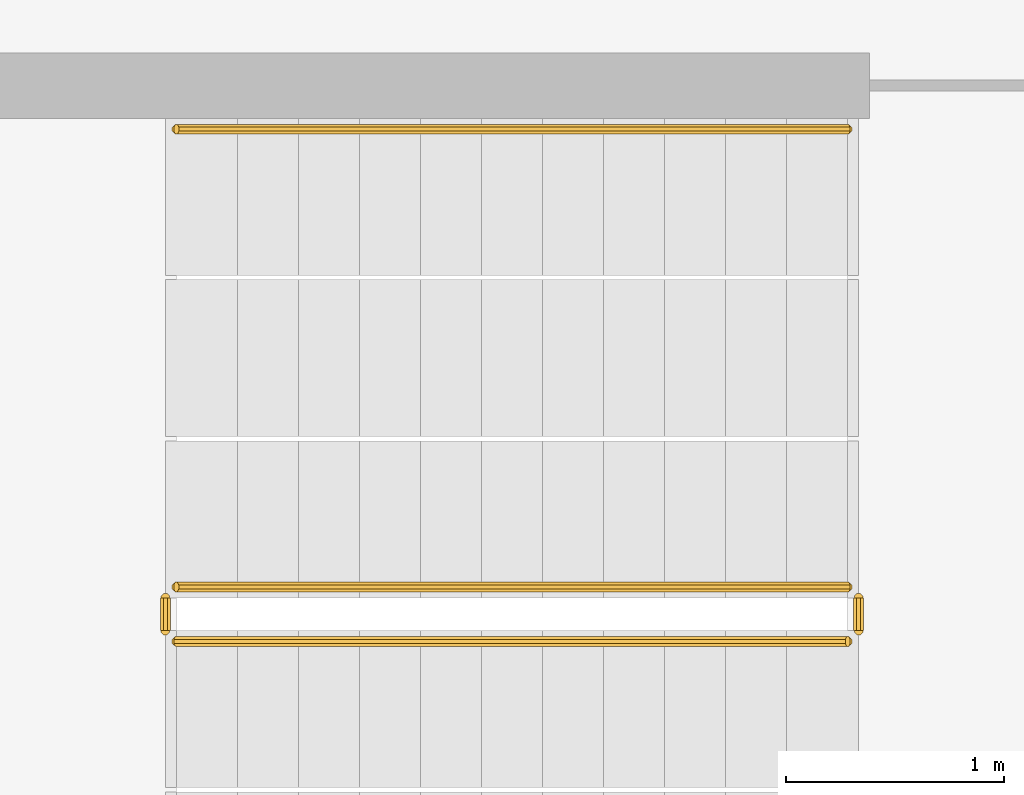
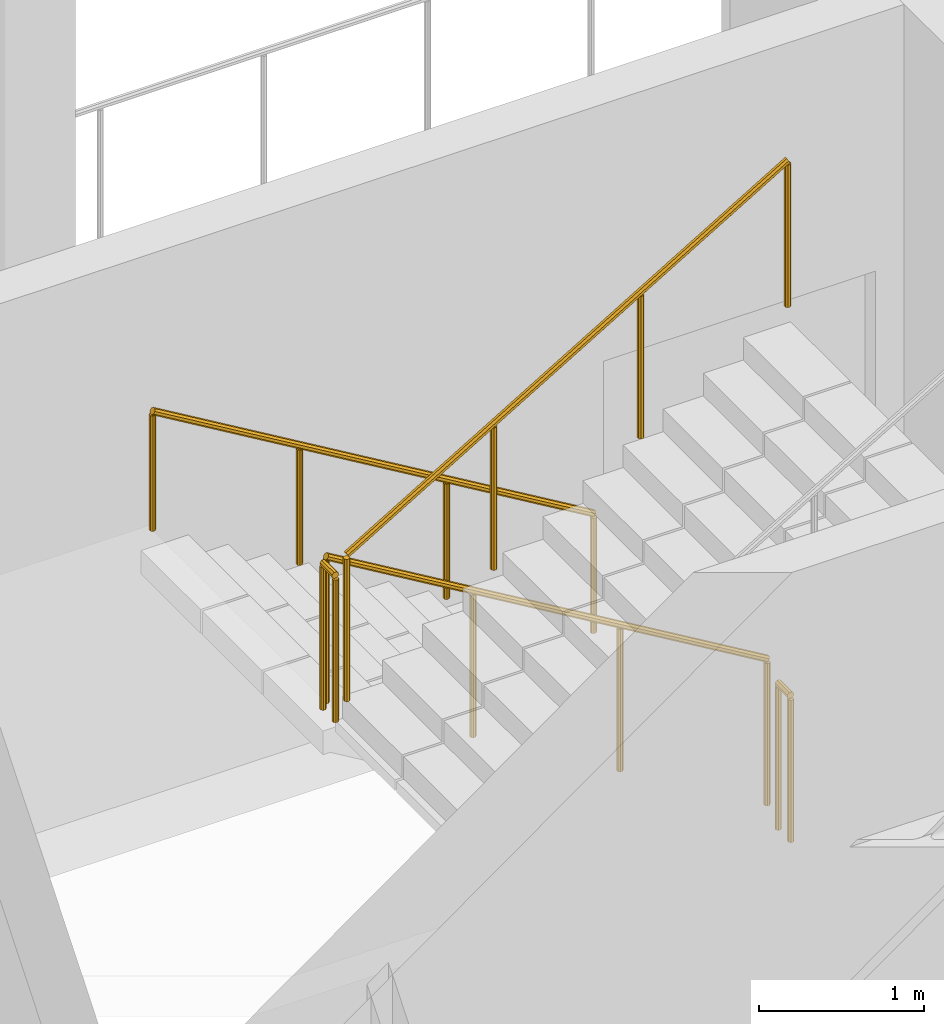
# One storey, part 20 of 28: 5 railings.
"""IFC4 building model written with IfcOpenShell, lengths in metres."""

from ifc_helpers import new_model, si_unit, direction, frame, origin, place, context, subcontext, project, spatial, polyline, outline, extrude, material, type_object, element, save


model = new_model("IFC4")

# Units and contexts
model_context = context("Model", 3, precision=1e-05, world=origin(), true_north=direction((0.0, 1.0)))
body_context = subcontext(model_context, "Body", "Model", "MODEL_VIEW")
ifc_project = project(units=[si_unit("LENGTHUNIT", "METRE"), si_unit("AREAUNIT", "SQUARE_METRE"), si_unit("VOLUMEUNIT", "CUBIC_METRE"), si_unit("PLANEANGLEUNIT", "RADIAN"), si_unit("MASSUNIT", "GRAM", prefix="KILO")], contexts=[model_context])

# Site, building, storey
site_placement = place(None, origin())
site = spatial("IfcSite", under=ifc_project, at=site_placement, CompositionType="ELEMENT")
building_placement = place(site_placement, origin())
building = spatial("IfcBuilding", under=site, at=building_placement, Name="Cormorant Relay Tower", CompositionType="ELEMENT")
storey_placement = place(building_placement, frame((0.0, 0.0, 146.199951171875)))
storey = spatial("IfcBuildingStorey", under=building, at=storey_placement, Name="L30", CompositionType="ELEMENT", Elevation=146.199951171875)

# Railings
ifc_material_1 = material(Name="Steel ASTM A572 Grade 50 (Fy 345 MPa)", Category="steel")
railing_type_1 = type_object("IfcRailingType", Name="Stair guard 1100", PredefinedType="GUARDRAIL", material=ifc_material_1)
railing_1_placement = place(storey_placement, frame((1.60009765625, -18.27490234375, 0.166748046875)))
element("IfcRailing", 1, at=railing_1_placement, inside=storey, type_object=railing_type_1, Name="L30 RK1 stair guard 1", PredefinedType="GUARDRAIL", context=body_context, shape_type="SweptSolid", body=[
    extrude(outline(polyline([(0.022216796875, 0.00927734375), (0.00927734375, 0.022216796875), (-0.00927734375, 0.022216796875), (-0.022216796875, 0.00927734375), (-0.022216796875, -0.00927734375), (-0.00927734375, -0.022216796875), (0.00927734375, -0.022216796875), (0.022216796875, -0.00927734375), (0.022216796875, 0.00927734375)])), frame((0.0, 0.0, 1.076171875), z_axis=(-0.859308565015, 0.0, 0.511457515432), x_axis=(0.0, -1.0, 0.0)), (0.0, 0.0, 1.0), 3.58447265625),
    extrude(outline(polyline([(0.019287109375, 0.008056640625), (0.008056640625, 0.019287109375), (-0.008056640625, 0.019287109375), (-0.019287109375, 0.008056640625), (-0.019287109375, -0.008056640625), (-0.008056640625, -0.019287109375), (0.008056640625, -0.019287109375), (0.019287109375, -0.008056640625), (0.019287109375, 0.008056640625)])), origin(), (0.0, 0.0, 1.0), 1.052001953125),
    extrude(outline(polyline([(0.019287109375, 0.008056640625), (0.008056640625, 0.019287109375), (-0.008056640625, 0.019287109375), (-0.019287109375, 0.008056640625), (-0.019287109375, -0.008056640625), (-0.008056640625, -0.019287109375), (0.008056640625, -0.019287109375), (0.019287109375, -0.008056640625), (0.019287109375, 0.008056640625)])), frame((-1.026611328125, 0.0, 0.611083984375)), (0.0, 0.0, 1.0), 1.052001953125),
    extrude(outline(polyline([(0.019287109375, 0.008056640625), (0.008056640625, 0.019287109375), (-0.008056640625, 0.019287109375), (-0.019287109375, 0.008056640625), (-0.019287109375, -0.008056640625), (-0.008056640625, -0.019287109375), (0.008056640625, -0.019287109375), (0.019287109375, -0.008056640625), (0.019287109375, 0.008056640625)])), frame((-2.053466796875, 0.0, 1.22216796875)), (0.0, 0.0, 1.0), 1.052001953125),
    extrude(outline(polyline([(0.019287109375, 0.008056640625), (0.008056640625, 0.019287109375), (-0.008056640625, 0.019287109375), (-0.019287109375, 0.008056640625), (-0.019287109375, -0.008056640625), (-0.008056640625, -0.019287109375), (0.008056640625, -0.019287109375), (0.019287109375, -0.008056640625), (0.019287109375, 0.008056640625)])), frame((-3.080078125, 0.0, 1.833251953125)), (0.0, 0.0, 1.0), 1.052001953125),
])
railing_2_placement = place(storey_placement, frame((-1.530029296875, -18.324951171875, 2.0)))
element("IfcRailing", 2, at=railing_2_placement, inside=storey, type_object=railing_type_1, Name="L30 RK1 stair guard 2", PredefinedType="GUARDRAIL", context=body_context, shape_type="SweptSolid", body=[
    extrude(outline(polyline([(0.022216796875, 0.00927734375), (0.00927734375, 0.022216796875), (-0.00927734375, 0.022216796875), (-0.022216796875, 0.00927734375), (-0.022216796875, -0.00927734375), (-0.00927734375, -0.022216796875), (0.00927734375, -0.022216796875), (0.022216796875, -0.00927734375), (0.022216796875, 0.00927734375)])), frame((0.0, 0.0, 1.076171875), z_axis=(0.0, -1.0, 0.0), x_axis=(1.0, 0.0, 0.0)), (0.0, 0.0, 1.0), 0.150146484375),
    extrude(outline(polyline([(0.019287109375, 0.008056640625), (0.008056640625, 0.019287109375), (-0.008056640625, 0.019287109375), (-0.019287109375, 0.008056640625), (-0.019287109375, -0.008056640625), (-0.008056640625, -0.019287109375), (0.008056640625, -0.019287109375), (0.019287109375, -0.008056640625), (0.019287109375, 0.008056640625)])), origin(), (0.0, 0.0, 1.0), 1.052001953125),
    extrude(outline(polyline([(0.019287109375, 0.008056640625), (0.008056640625, 0.019287109375), (-0.008056640625, 0.019287109375), (-0.019287109375, 0.008056640625), (-0.019287109375, -0.008056640625), (-0.008056640625, -0.019287109375), (0.008056640625, -0.019287109375), (0.019287109375, -0.008056640625), (0.019287109375, 0.008056640625)])), frame((0.0, -0.150146484375, 0.0)), (0.0, 0.0, 1.0), 1.052001953125),
])
railing_3_placement = place(storey_placement, frame((-1.47998046875, -18.52490234375, 2.166748046875)))
element("IfcRailing", 3, at=railing_3_placement, inside=storey, type_object=railing_type_1, Name="L30 RK1 stair guard 3", PredefinedType="GUARDRAIL", context=body_context, shape_type="SweptSolid", body=[
    extrude(outline(polyline([(0.022216796875, 0.00927734375), (0.00927734375, 0.022216796875), (-0.00927734375, 0.022216796875), (-0.022216796875, 0.00927734375), (-0.022216796875, -0.00927734375), (-0.00927734375, -0.022216796875), (0.00927734375, -0.022216796875), (0.022216796875, -0.00927734375), (0.022216796875, 0.00927734375)])), frame((0.0, 0.0, 1.076171875), z_axis=(0.859308565015, 0.0, 0.511457515432), x_axis=(0.0, 1.0, 0.0)), (0.0, 0.0, 1.0), 3.58447265625),
    extrude(outline(polyline([(0.019287109375, 0.008056640625), (0.008056640625, 0.019287109375), (-0.008056640625, 0.019287109375), (-0.019287109375, 0.008056640625), (-0.019287109375, -0.008056640625), (-0.008056640625, -0.019287109375), (0.008056640625, -0.019287109375), (0.019287109375, -0.008056640625), (0.019287109375, 0.008056640625)])), origin(), (0.0, 0.0, 1.0), 1.052001953125),
    extrude(outline(polyline([(0.019287109375, 0.008056640625), (0.008056640625, 0.019287109375), (-0.008056640625, 0.019287109375), (-0.019287109375, 0.008056640625), (-0.019287109375, -0.008056640625), (-0.008056640625, -0.019287109375), (0.008056640625, -0.019287109375), (0.019287109375, -0.008056640625), (0.019287109375, 0.008056640625)])), frame((1.026611328125, 0.0, 0.611083984375)), (0.0, 0.0, 1.0), 1.052001953125),
    extrude(outline(polyline([(0.019287109375, 0.008056640625), (0.008056640625, 0.019287109375), (-0.008056640625, 0.019287109375), (-0.019287109375, 0.008056640625), (-0.019287109375, -0.008056640625), (-0.008056640625, -0.019287109375), (0.008056640625, -0.019287109375), (0.019287109375, -0.008056640625), (0.019287109375, 0.008056640625)])), frame((2.053466796875, 0.0, 1.22216796875)), (0.0, 0.0, 1.0), 1.052001953125),
    extrude(outline(polyline([(0.019287109375, 0.008056640625), (0.008056640625, 0.019287109375), (-0.008056640625, 0.019287109375), (-0.019287109375, 0.008056640625), (-0.019287109375, -0.008056640625), (-0.008056640625, -0.019287109375), (0.008056640625, -0.019287109375), (0.019287109375, -0.008056640625), (0.019287109375, 0.008056640625)])), frame((3.080078125, 0.0, 1.833251953125)), (0.0, 0.0, 1.0), 1.052001953125),
])
railing_4_placement = place(storey_placement, frame((1.64990234375, -18.324951171875, 0.0)))
element("IfcRailing", 4, at=railing_4_placement, inside=storey, type_object=railing_type_1, Name="L30 RK1 stair guard 4", PredefinedType="GUARDRAIL", context=body_context, shape_type="SweptSolid", body=[
    extrude(outline(polyline([(0.022216796875, 0.00927734375), (0.00927734375, 0.022216796875), (-0.00927734375, 0.022216796875), (-0.022216796875, 0.00927734375), (-0.022216796875, -0.00927734375), (-0.00927734375, -0.022216796875), (0.00927734375, -0.022216796875), (0.022216796875, -0.00927734375), (0.022216796875, 0.00927734375)])), frame((0.0, 0.0, 1.076171875), z_axis=(0.0, -1.0, 0.0), x_axis=(1.0, 0.0, 0.0)), (0.0, 0.0, 1.0), 0.150146484375),
    extrude(outline(polyline([(0.019287109375, 0.008056640625), (0.008056640625, 0.019287109375), (-0.008056640625, 0.019287109375), (-0.019287109375, 0.008056640625), (-0.019287109375, -0.008056640625), (-0.008056640625, -0.019287109375), (0.008056640625, -0.019287109375), (0.019287109375, -0.008056640625), (0.019287109375, 0.008056640625)])), origin(), (0.0, 0.0, 1.0), 1.052001953125),
    extrude(outline(polyline([(0.019287109375, 0.008056640625), (0.008056640625, 0.019287109375), (-0.008056640625, 0.019287109375), (-0.019287109375, 0.008056640625), (-0.019287109375, -0.008056640625), (-0.008056640625, -0.019287109375), (0.008056640625, -0.019287109375), (0.019287109375, -0.008056640625), (0.019287109375, 0.008056640625)])), frame((0.0, -0.150146484375, 0.0)), (0.0, 0.0, 1.0), 1.052001953125),
])
ifc_material_2 = material(Name="Steel ASTM A572 Grade 50 (Fy 345 MPa)", Category="steel")
railing_type_2 = type_object("IfcRailingType", Name="Stair handrail 900", PredefinedType="HANDRAIL", material=ifc_material_2)
railing_5_placement = place(storey_placement, frame((1.60009765625, -16.175048828125, 0.166748046875)))
element("IfcRailing", 5, at=railing_5_placement, inside=storey, type_object=railing_type_2, Name="L30 RK1 stair handrail 1", PredefinedType="HANDRAIL", context=body_context, shape_type="SweptSolid", body=[
    extrude(outline(polyline([(0.022216796875, 0.00927734375), (0.00927734375, 0.022216796875), (-0.00927734375, 0.022216796875), (-0.022216796875, 0.00927734375), (-0.022216796875, -0.00927734375), (-0.00927734375, -0.022216796875), (0.00927734375, -0.022216796875), (0.022216796875, -0.00927734375), (0.022216796875, 0.00927734375)])), frame((0.0, 0.0, 0.8759765625), z_axis=(-0.859308565015, 0.0, 0.511457515432), x_axis=(0.0, -1.0, 0.0)), (0.0, 0.0, 1.0), 3.58447265625),
    extrude(outline(polyline([(0.019287109375, 0.008056640625), (0.008056640625, 0.019287109375), (-0.008056640625, 0.019287109375), (-0.019287109375, 0.008056640625), (-0.019287109375, -0.008056640625), (-0.008056640625, -0.019287109375), (0.008056640625, -0.019287109375), (0.019287109375, -0.008056640625), (0.019287109375, 0.008056640625)])), origin(), (0.0, 0.0, 1.0), 0.851806640625),
    extrude(outline(polyline([(0.019287109375, 0.008056640625), (0.008056640625, 0.019287109375), (-0.008056640625, 0.019287109375), (-0.019287109375, 0.008056640625), (-0.019287109375, -0.008056640625), (-0.008056640625, -0.019287109375), (0.008056640625, -0.019287109375), (0.019287109375, -0.008056640625), (0.019287109375, 0.008056640625)])), frame((-1.026611328125, 0.0, 0.611083984375)), (0.0, 0.0, 1.0), 0.851806640625),
    extrude(outline(polyline([(0.019287109375, 0.008056640625), (0.008056640625, 0.019287109375), (-0.008056640625, 0.019287109375), (-0.019287109375, 0.008056640625), (-0.019287109375, -0.008056640625), (-0.008056640625, -0.019287109375), (0.008056640625, -0.019287109375), (0.019287109375, -0.008056640625), (0.019287109375, 0.008056640625)])), frame((-2.053466796875, 0.0, 1.22216796875)), (0.0, 0.0, 1.0), 0.851806640625),
    extrude(outline(polyline([(0.019287109375, 0.008056640625), (0.008056640625, 0.019287109375), (-0.008056640625, 0.019287109375), (-0.019287109375, 0.008056640625), (-0.019287109375, -0.008056640625), (-0.008056640625, -0.019287109375), (0.008056640625, -0.019287109375), (0.019287109375, -0.008056640625), (0.019287109375, 0.008056640625)])), frame((-3.080078125, 0.0, 1.833251953125)), (0.0, 0.0, 1.0), 0.851806640625),
])

save(model, "model.ifc")
